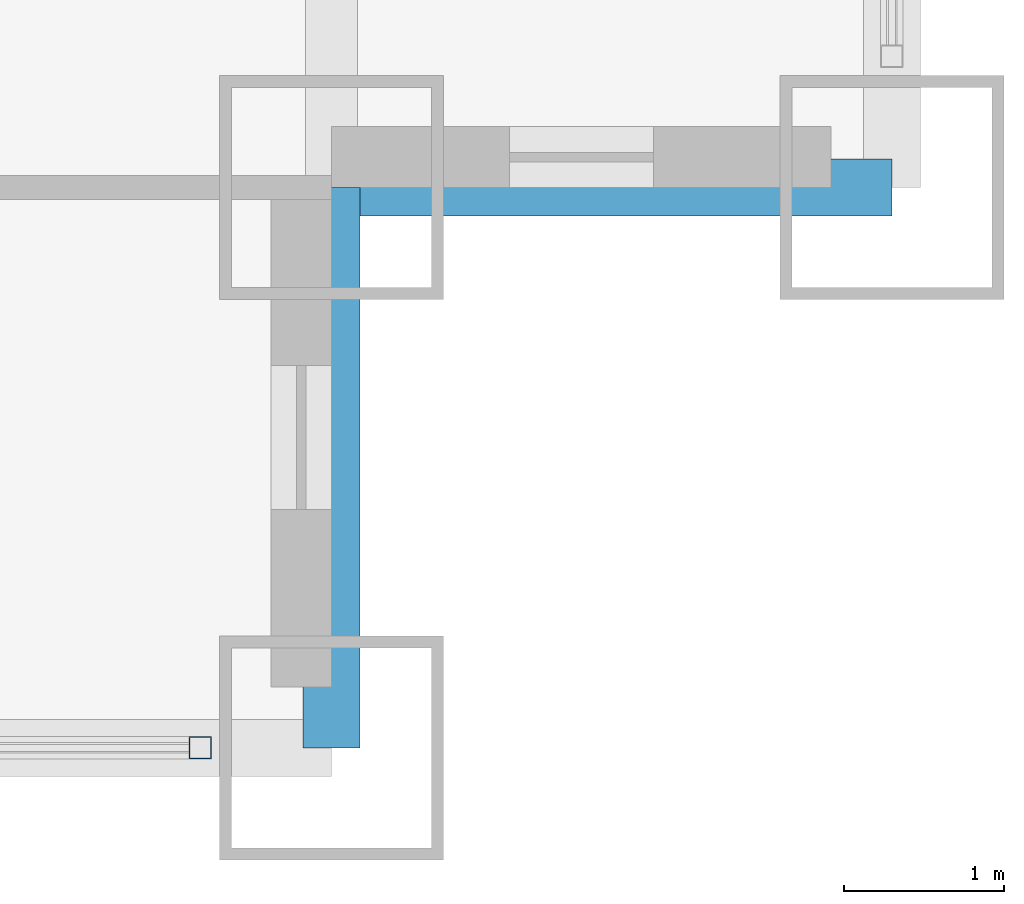
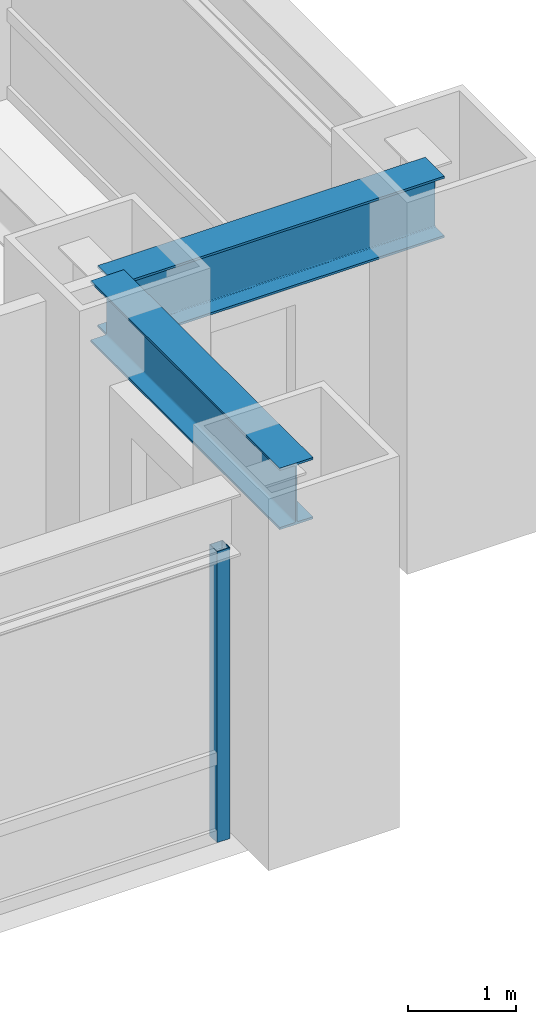
# One storey, part 10 of 27: 2 beams, 1 member, 1 element without a shape of its own.
"""IFC4 building model written with IfcOpenShell, lengths in metres."""

from ifc_helpers import new_model, si_unit, direction, frame, origin, origin_2d, place, context, subcontext, project, spatial, hollow_rectangle, i_section, extrude, source, transform, mapped, material, material_profile, profile_set, type_object, element, aggregate, save


model = new_model("IFC4")

# Units and contexts
model_context = context("Model", 3, precision=1e-05, world=origin(), true_north=direction((0.0, 1.0)))
body_context = subcontext(model_context, "Body", "Model", "MODEL_VIEW")
ifc_project = project(units=[si_unit("LENGTHUNIT", "METRE"), si_unit("AREAUNIT", "SQUARE_METRE"), si_unit("VOLUMEUNIT", "CUBIC_METRE"), si_unit("PLANEANGLEUNIT", "RADIAN"), si_unit("MASSUNIT", "GRAM", prefix="KILO")], contexts=[model_context])

# Site, building, storey
site_placement = place(None, origin())
site = spatial("IfcSite", under=ifc_project, at=site_placement, CompositionType="ELEMENT")
building_placement = place(site_placement, origin())
building = spatial("IfcBuilding", under=site, at=building_placement, Name="Khorayat Bourse Tower", CompositionType="ELEMENT")
storey_placement = place(building_placement, frame((0.0, 0.0, 49.39990234375)))
storey = spatial("IfcBuildingStorey", under=building, at=storey_placement, Name="L10", CompositionType="ELEMENT", Elevation=49.39990234375)

# Beams
ifc_material_1 = material(Name="Steel ASTM A992 Grade 50", Category="steel")
ifc_material_profile_1 = material_profile(ifc_material_1, i_section(OverallWidth=0.35498046875, OverallDepth=0.695068359375, WebThickness=0.015380859375, FlangeThickness=0.02490234375, FilletRadius=0.01806640625, at=origin_2d()), Name="W690X217")
ifc_profile_set_1 = profile_set([ifc_material_profile_1], Name="Steel ASTM A992 Grade 50")
beam_type = type_object("IfcBeamType", Name="BM-SPAN-690", PredefinedType="SPANDREL", material=ifc_profile_set_1)
shared_shape_1 = source(origin(), body_context, "Body", "SweptSolid", [
    extrude(i_section(OverallWidth=0.35498046875, OverallDepth=0.695068359375, WebThickness=0.015380859375, FlangeThickness=0.02490234375, FilletRadius=0.01806640625, at=origin_2d()), origin(), (0.0, 0.0, 1.0), 3.5),
])
for number, where, z_axis, x_axis, name in (
    (1, (28.5, -32.0, 3.592529296875), (0.0, 1.0, 0.0), (-1.0, 0.0, 0.0), "L10 BM-SPAN-690 BM-L10-SPN-032"),
    (2, (28.5, -28.5, 3.592529296875), (1.0, 0.0, 0.0), (0.0, 1.0, 0.0), "L10 BM-SPAN-690 BM-L10-SPN-033"),
):
    element("IfcBeam", number, at=place(storey_placement, frame(where, z_axis=z_axis, x_axis=x_axis)), inside=storey, type_object=beam_type, Name=name, PredefinedType="SPANDREL", context=body_context, shape_type="MappedRepresentation", body=[
        mapped(shared_shape_1, transform((0.0, 0.0, 0.0), scale=1.0)),
    ])

# Curtain wall, member
ifc_material_2 = material(Name="Aluminium EN AW-6063 T6", Category="aluminium")
curtain_wall_type = type_object("IfcCurtainWallType", Name="CW-SYS-02", PredefinedType="NOTDEFINED", material=ifc_material_2)
curtain_wall_placement = place(storey_placement, origin())
curtain_wall = element("IfcCurtainWall", 3, at=curtain_wall_placement, inside=storey, type_object=curtain_wall_type, Name="L10 Curtain Wall CW-L10-S1", PredefinedType="NOTDEFINED")
ifc_material_profile_2 = material_profile(ifc_material_2, hollow_rectangle(XDim=0.139892578125, YDim=0.139892578125, WallThickness=0.006103515625, at=origin_2d()), Name="ALU 140x140x6")
ifc_profile_set_2 = profile_set([ifc_material_profile_2], Name="Aluminium EN AW-6063 T6")
member_type = type_object("IfcMemberType", Name="CWM-VERT-140", PredefinedType="MULLION", material=ifc_profile_set_2)
shared_shape_2 = source(origin(), body_context, "Body", "SweptSolid", [
    extrude(hollow_rectangle(XDim=0.139892578125, YDim=0.139892578125, WallThickness=0.006103515625, at=origin_2d()), origin(), (0.0, 0.0, 1.0), 3.2900390625),
])
member_placement = place(storey_placement, frame((27.679931640625, -32.0, 0.0), z_axis=(0.0, 0.0, 1.0), x_axis=(0.0, 1.0, 0.0)))
member = element("IfcMember", 4, at=member_placement, type_object=member_type, Name="CW-L10-S1 Vertical Mullion 4", PredefinedType="MULLION", context=body_context, shape_type="MappedRepresentation", body=[
    mapped(shared_shape_2, transform((0.0, 0.0, 0.0), scale=1.0)),
])
aggregate(curtain_wall, [member])

save(model, "model.ifc")
